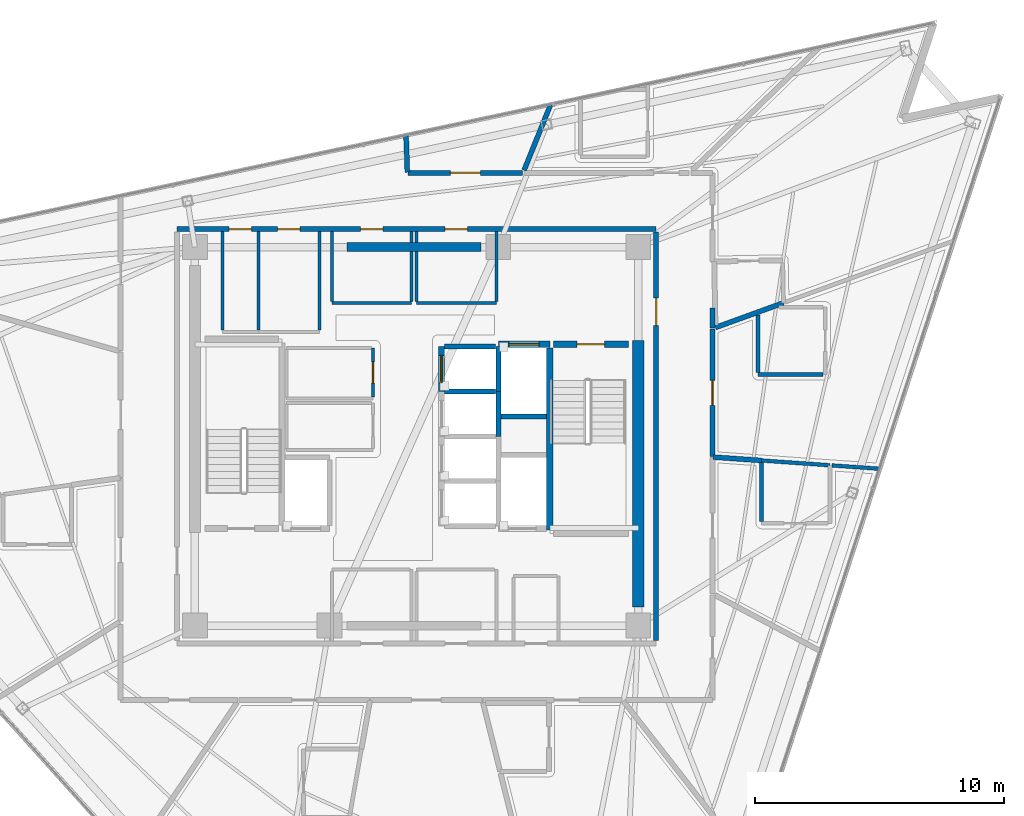
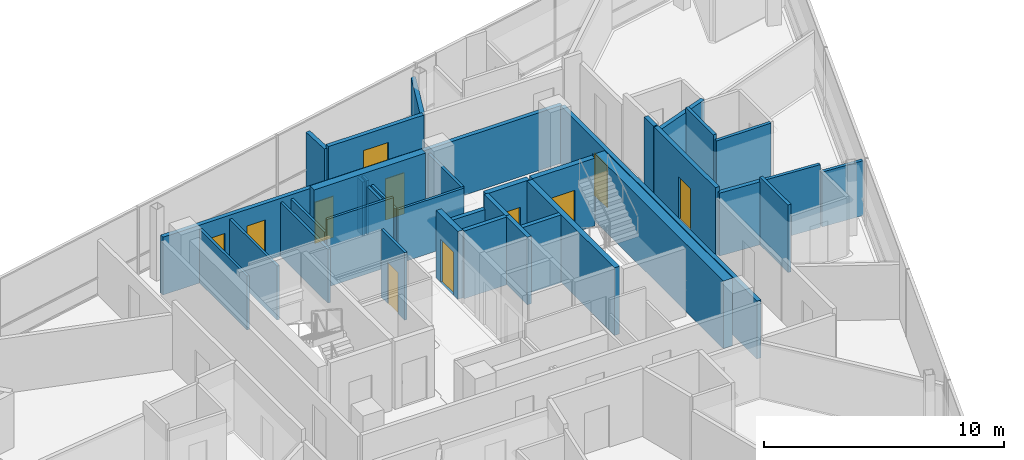
# One storey, part 12 of 17: 37 walls, 11 doors, 11 openings.
"""IFC4 building model written with IfcOpenShell, lengths in metres."""

from ifc_helpers import new_model, si_unit, direction, frame, frame_2d, origin, place, context, subcontext, project, spatial, rectangle, extrude, material, layer, layer_set, type_object, element, fill, save


model = new_model("IFC4")

# Units and contexts
model_context = context("Model", 3, precision=1e-05, world=origin(), true_north=direction((0.0, 1.0)))
body_context = subcontext(model_context, "Body", "Model", "MODEL_VIEW")
ifc_project = project(units=[si_unit("LENGTHUNIT", "METRE"), si_unit("AREAUNIT", "SQUARE_METRE"), si_unit("VOLUMEUNIT", "CUBIC_METRE"), si_unit("PLANEANGLEUNIT", "RADIAN"), si_unit("MASSUNIT", "GRAM", prefix="KILO")], contexts=[model_context])

# Site, building, storey
site_placement = place(None, origin())
site = spatial("IfcSite", under=ifc_project, at=site_placement, CompositionType="ELEMENT")
building_placement = place(site_placement, origin())
building = spatial("IfcBuilding", under=site, at=building_placement, Name="Tharavind Bronze Gate", CompositionType="ELEMENT")
storey_placement = place(building_placement, frame((0.0, 0.0, 294.35009765625)))
storey = spatial("IfcBuildingStorey", under=building, at=storey_placement, Name="L76", CompositionType="ELEMENT", Elevation=294.35009765625)

# Wall, openings, doors
ifc_material_1 = material(Name="Aerated Concrete Block", Category="concrete")
ifc_layer_1 = layer(ifc_material_1, 0.199951171875)
ifc_layer_set_1 = layer_set([ifc_layer_1], Name="Aerated Concrete Block")
wall_type_1 = type_object("IfcWallType", Name="FIRE RATED PARTITION 200", PredefinedType="PARTITIONING", material=ifc_layer_set_1)
wall_1_placement = place(storey_placement, frame((9.6201171875, 8.320068359375, 0.0), z_axis=(0.0, 0.0, 1.0), x_axis=(-1.0, 0.0, 0.0)))
wall_1 = element("IfcWall", 1, at=wall_1_placement, inside=storey, type_object=wall_type_1, Name="L76 north core corridor wall", PredefinedType="PARTITIONING", context=body_context, shape_type="SweptSolid", body=[
    extrude(rectangle(XDim=19.240234375, YDim=0.199951171875, at=frame_2d((9.6201171875, 0.0))), origin(), (0.0, 0.0, 1.0), 2.94482421875),
])
opening_1_placement = place(wall_1_placement, frame((10.969970703125, 0.0, 0.0)))
opening_1 = element("IfcOpeningElement", 2, at=opening_1_placement, cuts=wall_1, Name="Opening ID07", PredefinedType="OPENING", context=body_context, shape_type="SweptSolid", body=[
    extrude(rectangle(XDim=0.89990234375, YDim=2.10009765625, at=frame_2d((0.449951171875, 1.050048828125))), frame((0.0, 0.11009765625, 0.0), z_axis=(0.0, -1.0, 0.0), x_axis=(1.0, 0.0, 0.0)), (0.0, 0.0, 1.0), 0.219951171875),
])
opening_2_placement = place(wall_1_placement, frame((7.570068359375, 0.0, 0.0)))
opening_2 = element("IfcOpeningElement", 3, at=opening_2_placement, cuts=wall_1, Name="Opening ID07", PredefinedType="OPENING", context=body_context, shape_type="SweptSolid", body=[
    extrude(rectangle(XDim=0.89990234375, YDim=2.10009765625, at=frame_2d((0.449951171875, 1.050048828125))), frame((0.0, 0.11009765625, 0.0), z_axis=(0.0, -1.0, 0.0), x_axis=(1.0, 0.0, 0.0)), (0.0, 0.0, 1.0), 0.219951171875),
])
opening_3_placement = place(wall_1_placement, frame((16.2451171875, 0.0, 0.0)))
opening_3 = element("IfcOpeningElement", 4, at=opening_3_placement, cuts=wall_1, Name="Opening ID07", PredefinedType="OPENING", context=body_context, shape_type="SweptSolid", body=[
    extrude(rectangle(XDim=0.89990234375, YDim=2.10009765625, at=frame_2d((0.449951171875, 1.050048828125))), frame((0.0, 0.11009765625, 0.0), z_axis=(0.0, -1.0, 0.0), x_axis=(1.0, 0.0, 0.0)), (0.0, 0.0, 1.0), 0.219951171875),
])
opening_4_placement = place(wall_1_placement, frame((14.294921875, 0.0, 0.0)))
opening_4 = element("IfcOpeningElement", 5, at=opening_4_placement, cuts=wall_1, Name="Opening ID07", PredefinedType="OPENING", context=body_context, shape_type="SweptSolid", body=[
    extrude(rectangle(XDim=0.89990234375, YDim=2.10009765625, at=frame_2d((0.449951171875, 1.050048828125))), frame((0.0, 0.11009765625, 0.0), z_axis=(0.0, -1.0, 0.0), x_axis=(1.0, 0.0, 0.0)), (0.0, 0.0, 1.0), 0.219951171875),
])
ifc_material_2 = material(Name="Galvanised Fire Steel", Category="steel")
door_type_1 = type_object("IfcDoorType", Name="PLANT AND RISER FIRE DOOR 900X2100", OperationType="SINGLE_SWING_LEFT", PredefinedType="DOOR", material=ifc_material_2)
door_1_placement = place(opening_1_placement, frame((0.89990234375, 0.0, 0.0), z_axis=(0.0, 0.0, 1.0), x_axis=(-1.0, 0.0, 0.0)))
door_1 = element("IfcDoor", 6, at=door_1_placement, inside=storey, type_object=door_type_1, Name="L76 Core Telemetry Room fire door", OperationType="SINGLE_SWING_LEFT", OverallHeight=2.10009765625, OverallWidth=0.89990234375, PredefinedType="DOOR", context=body_context, shape_type="SweptSolid", body=[
    extrude(rectangle(XDim=0.89990234375, YDim=2.10009765625, at=frame_2d((0.449951171875, 1.050048828125))), frame((0.0, 0.02490234375, 0.0), z_axis=(0.0, -1.0, 0.0), x_axis=(1.0, 0.0, 0.0)), (0.0, 0.0, 1.0), 0.050048828125),
])
fill(opening_1, door_1)
door_2_placement = place(opening_2_placement, frame((0.89990234375, 0.0, 0.0), z_axis=(0.0, 0.0, 1.0), x_axis=(-1.0, 0.0, 0.0)))
door_2 = element("IfcDoor", 7, at=door_2_placement, inside=storey, type_object=door_type_1, Name="L76 Core Battery Room fire door", OperationType="SINGLE_SWING_LEFT", OverallHeight=2.10009765625, OverallWidth=0.89990234375, PredefinedType="DOOR", context=body_context, shape_type="SweptSolid", body=[
    extrude(rectangle(XDim=0.89990234375, YDim=2.10009765625, at=frame_2d((0.449951171875, 1.050048828125))), frame((0.0, 0.02490234375, 0.0), z_axis=(0.0, -1.0, 0.0), x_axis=(1.0, 0.0, 0.0)), (0.0, 0.0, 1.0), 0.050048828125),
])
fill(opening_2, door_2)
door_3_placement = place(opening_3_placement, frame((0.89990234375, 0.0, 0.0), z_axis=(0.0, 0.0, 1.0), x_axis=(-1.0, 0.0, 0.0)))
door_3 = element("IfcDoor", 8, at=door_3_placement, inside=storey, type_object=door_type_1, Name="L76 Battery Backup Cupboard fire door", OperationType="SINGLE_SWING_LEFT", OverallHeight=2.10009765625, OverallWidth=0.89990234375, PredefinedType="DOOR", context=body_context, shape_type="SweptSolid", body=[
    extrude(rectangle(XDim=0.89990234375, YDim=2.10009765625, at=frame_2d((0.449951171875, 1.050048828125))), frame((0.0, 0.02490234375, 0.0), z_axis=(0.0, -1.0, 0.0), x_axis=(1.0, 0.0, 0.0)), (0.0, 0.0, 1.0), 0.050048828125),
])
fill(opening_3, door_3)
door_4_placement = place(opening_4_placement, frame((0.89990234375, 0.0, 0.0), z_axis=(0.0, 0.0, 1.0), x_axis=(-1.0, 0.0, 0.0)))
door_4 = element("IfcDoor", 9, at=door_4_placement, inside=storey, type_object=door_type_1, Name="L76 Cleaner Store Room fire door", OperationType="SINGLE_SWING_LEFT", OverallHeight=2.10009765625, OverallWidth=0.89990234375, PredefinedType="DOOR", context=body_context, shape_type="SweptSolid", body=[
    extrude(rectangle(XDim=0.89990234375, YDim=2.10009765625, at=frame_2d((0.449951171875, 1.050048828125))), frame((0.0, 0.02490234375, 0.0), z_axis=(0.0, -1.0, 0.0), x_axis=(1.0, 0.0, 0.0)), (0.0, 0.0, 1.0), 0.050048828125),
])
fill(opening_4, door_4)

# Wall, opening, door
wall_2_placement = place(storey_placement, frame((9.6201171875, -8.199951171875, 0.0), z_axis=(0.0, 0.0, 1.0), x_axis=(0.0, 1.0, 0.0)))
wall_2 = element("IfcWall", 10, at=wall_2_placement, inside=storey, type_object=wall_type_1, Name="L76 east core corridor wall", PredefinedType="PARTITIONING", context=body_context, shape_type="SweptSolid", body=[
    extrude(rectangle(XDim=16.39990234375, YDim=0.199951171875, at=frame_2d((8.199951171875, 0.0))), origin(), (0.0, 0.0, 1.0), 2.94482421875),
])
opening_5_placement = place(wall_2_placement, frame((12.64990234375, 0.0, 0.0)))
opening_5 = element("IfcOpeningElement", 11, at=opening_5_placement, cuts=wall_2, Name="Opening ID01", PredefinedType="OPENING", context=body_context, shape_type="SweptSolid", body=[
    extrude(rectangle(XDim=1.10009765625, YDim=2.14990234375, at=frame_2d((0.550048828125, 1.074951171875))), frame((0.0, 0.11009765625, 0.0), z_axis=(0.0, -1.0, 0.0), x_axis=(1.0, 0.0, 0.0)), (0.0, 0.0, 1.0), 0.219951171875),
])
ifc_material_3 = material(Name="Fire-Rated Steel", Category="steel")
door_type_2 = type_object("IfcDoorType", Name="STAIR CORE FIRE DOOR 1100X2150", OperationType="SINGLE_SWING_LEFT", PredefinedType="DOOR", material=ifc_material_3)
door_5_placement = place(opening_5_placement, frame((1.10009765625, 0.0, 0.0), z_axis=(0.0, 0.0, 1.0), x_axis=(-1.0, 0.0, 0.0)))
door_5 = element("IfcDoor", 12, at=door_5_placement, inside=storey, type_object=door_type_2, Name="L76 north east stair lobby fire door", OperationType="SINGLE_SWING_LEFT", OverallHeight=2.14990234375, OverallWidth=1.10009765625, PredefinedType="DOOR", context=body_context, shape_type="SweptSolid", body=[
    extrude(rectangle(XDim=1.10009765625, YDim=2.14990234375, at=frame_2d((0.550048828125, 1.074951171875))), frame((0.0, 0.02490234375, 0.0), z_axis=(0.0, -1.0, 0.0), x_axis=(1.0, 0.0, 0.0)), (0.0, 0.0, 1.0), 0.050048828125),
])
fill(opening_5, door_5)

# Walls
wall_3_placement = place(storey_placement, frame((14.731201171875, 5.36181640625, 0.0), z_axis=(0.0, 0.0, 1.0), x_axis=(-0.939685466816, -0.342039798058, 0.0)))
element("IfcWall", 13, at=wall_3_placement, inside=storey, type_object=wall_type_1, Name="L76 En-Suite Bathroom partition", PredefinedType="PARTITIONING", context=body_context, shape_type="SweptSolid", body=[
    extrude(rectangle(XDim=2.906494140625, YDim=0.199951171875, at=frame_2d((1.453125, 0.0))), origin(), (0.0, 0.0, 1.0), 3.204833984375),
])
wall_4_placement = place(storey_placement, frame((11.8798828125, 4.359619140625, 0.0), z_axis=(0.0, 0.0, 1.0), x_axis=(0.0, 1.0, 0.0)))
element("IfcWall", 14, at=wall_4_placement, inside=storey, type_object=wall_type_1, Name="L76 Royal Hotel Suite partition", PredefinedType="PARTITIONING", context=body_context, shape_type="SweptSolid", body=[
    extrude(rectangle(XDim=0.784912109375, YDim=0.199951171875, at=frame_2d((0.392578125, 0.0))), origin(), (0.0, 0.0, 1.0), 3.449951171875),
])
wall_5_placement = place(storey_placement, frame((4.31689453125, 10.68505859375, 0.0), z_axis=(0.0, 0.0, 1.0), x_axis=(0.374699009618, 0.92714651064, 0.0)))
element("IfcWall", 15, at=wall_5_placement, inside=storey, type_object=wall_type_1, Name="L76 Hotel Deluxe Room partition", PredefinedType="PARTITIONING", context=body_context, shape_type="SweptSolid", body=[
    extrude(rectangle(XDim=2.822509765625, YDim=0.199951171875, at=frame_2d((1.4111328125, 0.0))), origin(), (0.0, 0.0, 1.0), 2.794921875),
])

# Wall, opening, door
wall_6_placement = place(storey_placement, frame((4.2578125, 10.580078125, 0.0), z_axis=(0.0, 0.0, 1.0), x_axis=(-1.0, 0.0, 0.0)))
wall_6 = element("IfcWall", 16, at=wall_6_placement, inside=storey, type_object=wall_type_1, Name="L76 Hotel Guest Lounge partition", PredefinedType="PARTITIONING", context=body_context, shape_type="SweptSolid", body=[
    extrude(rectangle(XDim=4.60302734375, YDim=0.199951171875, at=frame_2d((2.301513671875, 0.0))), origin(), (0.0, 0.0, 1.0), 2.94482421875),
])
opening_6_placement = place(wall_6_placement, frame((1.700927734375, 0.0, 0.0)))
opening_6 = element("IfcOpeningElement", 17, at=opening_6_placement, cuts=wall_6, Name="Opening ID05", PredefinedType="OPENING", context=body_context, shape_type="SweptSolid", body=[
    extrude(rectangle(XDim=1.199951171875, YDim=2.14990234375, at=frame_2d((0.60009765625, 1.074951171875))), frame((0.0, 0.11009765625, 0.0), z_axis=(0.0, -1.0, 0.0), x_axis=(1.0, 0.0, 0.0)), (0.0, 0.0, 1.0), 0.219951171875),
])
ifc_material_4 = material(Name="Acoustic Laminated Glass", Category="glass")
door_type_3 = type_object("IfcDoorType", Name="MEETING ROOM GLAZED DOOR 1200X2150", OperationType="SINGLE_SWING_LEFT", PredefinedType="DOOR", material=ifc_material_4)
door_6_placement = place(opening_6_placement, origin())
door_6 = element("IfcDoor", 18, at=door_6_placement, inside=storey, type_object=door_type_3, Name="L76 Hotel Guest Lounge door", OperationType="SINGLE_SWING_LEFT", OverallHeight=2.14990234375, OverallWidth=1.199951171875, PredefinedType="DOOR", context=body_context, shape_type="SweptSolid", body=[
    extrude(rectangle(XDim=1.199951171875, YDim=2.14990234375, at=frame_2d((0.60009765625, 1.074951171875))), frame((0.0, 0.02490234375, 0.0), z_axis=(0.0, -1.0, 0.0), x_axis=(1.0, 0.0, 0.0)), (0.0, 0.0, 1.0), 0.050048828125),
])
fill(opening_6, door_6)

# Walls
wall_7_placement = place(storey_placement, frame((-0.370361328125, 10.60400390625, 0.0), z_axis=(0.0, 0.0, 1.0), x_axis=(-0.034848895105, 0.999392592783, 0.0)))
element("IfcWall", 19, at=wall_7_placement, inside=storey, type_object=wall_type_1, Name="L76 Hotel Guest Lounge partition", PredefinedType="PARTITIONING", context=body_context, shape_type="SweptSolid", body=[
    extrude(rectangle(XDim=1.457275390625, YDim=0.199951171875, at=frame_2d((0.728515625, 0.0))), origin(), (0.0, 0.0, 1.0), 2.794921875),
])
wall_8_placement = place(storey_placement, frame((11.90673828125, -0.83251953125, 0.0), z_axis=(0.0, 0.0, 1.0), x_axis=(0.997560712778, -0.069804185555, 0.0)))
element("IfcWall", 20, at=wall_8_placement, inside=storey, type_object=wall_type_1, Name="L76 Corner Hotel Suite partition", PredefinedType="PARTITIONING", context=body_context, shape_type="SweptSolid", body=[
    extrude(rectangle(XDim=1.947998046875, YDim=0.199951171875, at=frame_2d((0.97412109375, 0.0))), origin(), (0.0, 0.0, 1.0), 3.204833984375),
])

# Wall, opening, door
wall_9_placement = place(storey_placement, frame((11.8798828125, -0.807373046875, 0.0), z_axis=(0.0, 0.0, 1.0), x_axis=(0.0, 1.0, 0.0)))
wall_9 = element("IfcWall", 21, at=wall_9_placement, inside=storey, type_object=wall_type_1, Name="L76 Hotel Guest Room partition", PredefinedType="PARTITIONING", context=body_context, shape_type="SweptSolid", body=[
    extrude(rectangle(XDim=5.11376953125, YDim=0.199951171875, at=frame_2d((2.556884765625, 0.0))), origin(), (0.0, 0.0, 1.0), 3.449951171875),
])
opening_7_placement = place(wall_9_placement, frame((2.056884765625, 0.0, 0.0)))
opening_7 = element("IfcOpeningElement", 22, at=opening_7_placement, cuts=wall_9, Name="Opening ID03", PredefinedType="OPENING", context=body_context, shape_type="SweptSolid", body=[
    extrude(rectangle(XDim=1.0, YDim=2.14990234375, at=frame_2d((0.5, 1.074951171875))), frame((0.0, 0.11009765625, 0.0), z_axis=(0.0, -1.0, 0.0), x_axis=(1.0, 0.0, 0.0)), (0.0, 0.0, 1.0), 0.219951171875),
])
ifc_material_5 = material(Name="Solid Timber Veneer", Category="wood")
door_type_4 = type_object("IfcDoorType", Name="HOTEL SUITE ENTRANCE DOOR 1000X2150", OperationType="SINGLE_SWING_LEFT", PredefinedType="DOOR", material=ifc_material_5)
door_7_placement = place(opening_7_placement, origin())
door_7 = element("IfcDoor", 23, at=door_7_placement, inside=storey, type_object=door_type_4, Name="L76 Hotel Guest Room door", OperationType="SINGLE_SWING_LEFT", OverallHeight=2.14990234375, OverallWidth=1.0, PredefinedType="DOOR", context=body_context, shape_type="SweptSolid", body=[
    extrude(rectangle(XDim=1.0, YDim=2.14990234375, at=frame_2d((0.5, 1.074951171875))), frame((0.0, 0.02490234375, 0.0), z_axis=(0.0, -1.0, 0.0), x_axis=(1.0, 0.0, 0.0)), (0.0, 0.0, 1.0), 0.050048828125),
])
fill(opening_7, door_7)

ifc_material_6 = material(Name="Metal Stud Gypsum Partition", Category="gypsum")
ifc_layer_2 = layer(ifc_material_6, 0.1201171875)
ifc_layer_set_2 = layer_set([ifc_layer_2], Name="Metal Stud Gypsum Partition")
wall_type_2 = type_object("IfcWallType", Name="INTERIOR PARTITION WALL 120", PredefinedType="PARTITIONING", material=ifc_layer_set_2)
wall_10_placement = place(storey_placement, frame((-1.75, 1.5849609375, 0.0), z_axis=(0.0, 0.0, 1.0), x_axis=(0.0, 1.0, 0.0)))
wall_10 = element("IfcWall", 24, at=wall_10_placement, inside=storey, type_object=wall_type_2, Name="L76 Cleaner Store Room partition 2", PredefinedType="PARTITIONING", context=body_context, shape_type="SweptSolid", body=[
    extrude(rectangle(XDim=1.965087890625, YDim=0.1201171875, at=frame_2d((0.982421875, 0.0))), origin(), (0.0, 0.0, 1.0), 3.449951171875),
])
opening_8_placement = place(wall_10_placement, frame((0.556884765625, 0.0, 0.0)))
opening_8 = element("IfcOpeningElement", 25, at=opening_8_placement, cuts=wall_10, Name="Opening ID06", PredefinedType="OPENING", context=body_context, shape_type="SweptSolid", body=[
    extrude(rectangle(XDim=0.85009765625, YDim=2.10009765625, at=frame_2d((0.425048828125, 1.050048828125))), frame((0.0, 0.07005859375, 0.0), z_axis=(0.0, -1.0, 0.0), x_axis=(1.0, 0.0, 0.0)), (0.0, 0.0, 1.0), 0.1401171875),
])
ifc_material_7 = material(Name="Moisture-Resistant Timber", Category="wood")
door_type_5 = type_object("IfcDoorType", Name="BATHROOM PRIVACY DOOR 850X2100", OperationType="SINGLE_SWING_RIGHT", PredefinedType="DOOR", material=ifc_material_7)
door_8_placement = place(opening_8_placement, frame((0.85009765625, 0.0, 0.0), z_axis=(0.0, 0.0, 1.0), x_axis=(-1.0, 0.0, 0.0)))
door_8 = element("IfcDoor", 26, at=door_8_placement, inside=storey, type_object=door_type_5, Name="L76 Cleaner Store Room door", OperationType="SINGLE_SWING_RIGHT", OverallHeight=2.10009765625, OverallWidth=0.85009765625, PredefinedType="DOOR", context=body_context, shape_type="SweptSolid", body=[
    extrude(rectangle(XDim=0.85009765625, YDim=2.10009765625, at=frame_2d((0.425048828125, 1.050048828125))), frame((0.0, 0.02490234375, 0.0), z_axis=(0.0, -1.0, 0.0), x_axis=(1.0, 0.0, 0.0)), (0.0, 0.0, 1.0), 0.050048828125),
])
fill(opening_8, door_8)

# Walls
wall_11_placement = place(storey_placement, frame((-3.39990234375, 5.35009765625, 0.0), z_axis=(0.0, 0.0, 1.0), x_axis=(1.0, 0.0, 0.0)))
element("IfcWall", 27, at=wall_11_placement, inside=storey, type_object=wall_type_2, Name="L76 Core Telemetry Room partition 1", PredefinedType="PARTITIONING", context=body_context, shape_type="SweptSolid", body=[
    extrude(rectangle(XDim=3.199951171875, YDim=0.1201171875, at=frame_2d((1.60009765625, 0.0))), origin(), (0.0, 0.0, 1.0), 3.449951171875),
])
wall_12_placement = place(storey_placement, frame((-0.199951171875, 5.4150390625, 0.0), z_axis=(0.0, 0.0, 1.0), x_axis=(0.0, 1.0, 0.0)))
element("IfcWall", 28, at=wall_12_placement, inside=storey, type_object=wall_type_2, Name="L76 Core Telemetry Room partition 2", PredefinedType="PARTITIONING", context=body_context, shape_type="SweptSolid", body=[
    extrude(rectangle(XDim=2.0048828125, YDim=0.1201171875, at=frame_2d((1.00244140625, 0.0))), origin(), (0.0, 0.0, 1.0), 2.744873046875),
])
wall_13_placement = place(storey_placement, frame((-0.199951171875, 7.780029296875, 0.0), z_axis=(0.0, 0.0, 1.0), x_axis=(0.0, 1.0, 0.0)))
element("IfcWall", 29, at=wall_13_placement, inside=storey, type_object=wall_type_2, Name="L76 Core Telemetry Room partition 2", PredefinedType="PARTITIONING", context=body_context, shape_type="SweptSolid", body=[
    extrude(rectangle(XDim=0.43505859375, YDim=0.1201171875, at=frame_2d((0.217529296875, 0.0))), origin(), (0.0, 0.0, 1.0), 2.744873046875),
])
wall_14_placement = place(storey_placement, frame((-3.39990234375, 8.215087890625, 0.0), z_axis=(0.0, 0.0, 1.0), x_axis=(0.0, -1.0, 0.0)))
element("IfcWall", 30, at=wall_14_placement, inside=storey, type_object=wall_type_2, Name="L76 Core Telemetry Room partition 4", PredefinedType="PARTITIONING", context=body_context, shape_type="SweptSolid", body=[
    extrude(rectangle(XDim=2.800048828125, YDim=0.1201171875, at=frame_2d((1.39990234375, 0.0))), origin(), (0.0, 0.0, 1.0), 2.744873046875),
])
wall_15_placement = place(storey_placement, frame((0.0, 5.35009765625, 0.0), z_axis=(0.0, 0.0, 1.0), x_axis=(1.0, 0.0, 0.0)))
element("IfcWall", 31, at=wall_15_placement, inside=storey, type_object=wall_type_2, Name="L76 Core Battery Room partition 1", PredefinedType="PARTITIONING", context=body_context, shape_type="SweptSolid", body=[
    extrude(rectangle(XDim=3.199951171875, YDim=0.1201171875, at=frame_2d((1.60009765625, 0.0))), origin(), (0.0, 0.0, 1.0), 2.744873046875),
])
wall_16_placement = place(storey_placement, frame((3.199951171875, 5.4150390625, 0.0), z_axis=(0.0, 0.0, 1.0), x_axis=(0.0, 1.0, 0.0)))
element("IfcWall", 32, at=wall_16_placement, inside=storey, type_object=wall_type_2, Name="L76 Core Battery Room partition 2", PredefinedType="PARTITIONING", context=body_context, shape_type="SweptSolid", body=[
    extrude(rectangle(XDim=2.800048828125, YDim=0.1201171875, at=frame_2d((1.39990234375, 0.0))), origin(), (0.0, 0.0, 1.0), 2.744873046875),
])
wall_17_placement = place(storey_placement, frame((0.0, 8.215087890625, 0.0), z_axis=(0.0, 0.0, 1.0), x_axis=(0.0, -1.0, 0.0)))
element("IfcWall", 33, at=wall_17_placement, inside=storey, type_object=wall_type_2, Name="L76 Core Battery Room partition 4", PredefinedType="PARTITIONING", context=body_context, shape_type="SweptSolid", body=[
    extrude(rectangle(XDim=0.43505859375, YDim=0.1201171875, at=frame_2d((0.217529296875, 0.0))), origin(), (0.0, 0.0, 1.0), 2.744873046875),
])
wall_18_placement = place(storey_placement, frame((0.0, 7.419921875, 0.0), z_axis=(0.0, 0.0, 1.0), x_axis=(0.0, -1.0, 0.0)))
element("IfcWall", 34, at=wall_18_placement, inside=storey, type_object=wall_type_2, Name="L76 Core Battery Room partition 4", PredefinedType="PARTITIONING", context=body_context, shape_type="SweptSolid", body=[
    extrude(rectangle(XDim=2.0048828125, YDim=0.1201171875, at=frame_2d((1.00244140625, 0.0))), origin(), (0.0, 0.0, 1.0), 2.744873046875),
])
for number, where, z_axis, x_axis, name in (
    (35, (-6.35009765625, 4.264892578125, 0.0), (0.0, 0.0, 1.0), (0.0, 1.0, 0.0), "L76 Battery Backup Cupboard partition 2"),
    (36, (-7.800048828125, 8.215087890625, 0.0), (0.0, 0.0, 1.0), (0.0, -1.0, 0.0), "L76 Battery Backup Cupboard partition 4"),
    (37, (-3.89990234375, 4.264892578125, 0.0), (0.0, 0.0, 1.0), (0.0, 1.0, 0.0), "L76 Cleaner Store Room partition 2"),
):
    element("IfcWall", number, at=place(storey_placement, frame(where, z_axis=z_axis, x_axis=x_axis)), inside=storey, type_object=wall_type_2, Name=name, PredefinedType="PARTITIONING", context=body_context, shape_type="SweptSolid", body=[
        extrude(rectangle(XDim=3.9501953125, YDim=0.1201171875, at=frame_2d((1.97509765625, 0.0))), origin(), (0.0, 0.0, 1.0), 2.744873046875),
    ])
ifc_material_8 = material(Name="Twin Stud Acoustic Gypsum", Category="gypsum")
ifc_layer_3 = layer(ifc_material_8, 0.14990234375)
ifc_layer_set_3 = layer_set([ifc_layer_3], Name="Twin Stud Acoustic Gypsum")
wall_type_3 = type_object("IfcWallType", Name="INTERIOR PARTITION WALL 150", PredefinedType="PARTITIONING", material=ifc_layer_set_3)
wall_19_placement = place(storey_placement, frame((13.85009765625, -0.968505859375, 0.0), z_axis=(0.0, 0.0, 1.0), x_axis=(0.997561927417, -0.069786825178, 0.0)))
element("IfcWall", 38, at=wall_19_placement, inside=storey, type_object=wall_type_3, Name="L76 En-Suite Bathroom partition", PredefinedType="PARTITIONING", context=body_context, shape_type="SweptSolid", body=[
    extrude(rectangle(XDim=2.7568359375, YDim=0.14990234375, at=frame_2d((1.37841796875, 0.0))), origin(), (0.0, 0.0, 1.0), 3.204833984375),
])
wall_20_placement = place(storey_placement, frame((13.85009765625, -3.4091796875, 0.0), z_axis=(0.0, 0.0, 1.0), x_axis=(0.0, 1.0, 0.0)))
element("IfcWall", 39, at=wall_20_placement, inside=storey, type_object=wall_type_3, Name="L76 En-Suite Bathroom partition", PredefinedType="PARTITIONING", context=body_context, shape_type="SweptSolid", body=[
    extrude(rectangle(XDim=2.360595703125, YDim=0.14990234375, at=frame_2d((1.18017578125, 0.0))), origin(), (0.0, 0.0, 1.0), 3.449951171875),
])
wall_21_placement = place(storey_placement, frame((16.324951171875, 2.48681640625, 0.0), z_axis=(0.0, 0.0, 1.0), x_axis=(-1.0, 0.0, 0.0)))
element("IfcWall", 40, at=wall_21_placement, inside=storey, type_object=wall_type_3, Name="L76 En-Suite Bathroom partition", PredefinedType="PARTITIONING", context=body_context, shape_type="SweptSolid", body=[
    extrude(rectangle(XDim=2.6201171875, YDim=0.14990234375, at=frame_2d((1.31005859375, 0.0))), origin(), (0.0, 0.0, 1.0), 3.204833984375),
])
wall_22_placement = place(storey_placement, frame((13.704833984375, 2.56689453125, 0.0), z_axis=(0.0, 0.0, 1.0), x_axis=(0.0, 1.0, 0.0)))
element("IfcWall", 41, at=wall_22_placement, inside=storey, type_object=wall_type_3, Name="L76 En-Suite Bathroom partition", PredefinedType="PARTITIONING", context=body_context, shape_type="SweptSolid", body=[
    extrude(rectangle(XDim=2.3095703125, YDim=0.14990234375, at=frame_2d((1.15478515625, 0.0))), origin(), (0.0, 0.0, 1.0), 3.449951171875),
])
wall_23_placement = place(storey_placement, frame((16.679931640625, -1.16650390625, 0.0), z_axis=(0.0, 0.0, 1.0), x_axis=(0.997568719621, -0.06968966662, 0.0)))
element("IfcWall", 42, at=wall_23_placement, inside=storey, type_object=wall_type_3, Name="L76 Corner Hotel Suite partition", PredefinedType="PARTITIONING", context=body_context, shape_type="SweptSolid", body=[
    extrude(rectangle(XDim=1.916259765625, YDim=0.14990234375, at=frame_2d((0.9580078125, 0.0))), origin(), (0.0, 0.0, 1.0), 2.794921875),
])
ifc_material_9 = material(Name="Concrete C50/60", Category="concrete")
ifc_layer_4 = layer(ifc_material_9, 0.25)
ifc_layer_set_4 = layer_set([ifc_layer_4], Name="Concrete C50/60")
wall_type_4 = type_object("IfcWallType", Name="RC CORE SHEAR WALL 250", PredefinedType="SHEAR", material=ifc_layer_set_4)
wall_24_placement = place(storey_placement, frame((5.35009765625, -3.75, 0.0), z_axis=(0.0, 0.0, 1.0), x_axis=(0.0, 1.0, 0.0)))
element("IfcWall", 43, at=wall_24_placement, inside=storey, type_object=wall_type_4, Name="L76 ST2 shaft west wall", PredefinedType="SHEAR", context=body_context, shape_type="SweptSolid", body=[
    extrude(rectangle(XDim=7.300048828125, YDim=0.25, at=frame_2d((3.64990234375, 0.0))), origin(), (0.0, 0.0, 1.0), 3.449951171875),
])

# Wall, opening, door
wall_25_placement = place(storey_placement, frame((5.5, 3.699951171875, 0.0), z_axis=(0.0, 0.0, 1.0), x_axis=(1.0, 0.0, 0.0)))
wall_25 = element("IfcWall", 44, at=wall_25_placement, inside=storey, type_object=wall_type_4, Name="L76 ST2 shaft north wall", PredefinedType="SHEAR", context=body_context, shape_type="SweptSolid", body=[
    extrude(rectangle(XDim=3.0, YDim=0.25, at=frame_2d((1.5, 0.0))), origin(), (0.0, 0.0, 1.0), 3.449951171875),
])
opening_9_placement = place(wall_25_placement, frame((0.949951171875, 0.0, 0.0)))
opening_9 = element("IfcOpeningElement", 45, at=opening_9_placement, cuts=wall_25, Name="Opening ID01", PredefinedType="OPENING", context=body_context, shape_type="SweptSolid", body=[
    extrude(rectangle(XDim=1.10009765625, YDim=2.14990234375, at=frame_2d((0.550048828125, 1.074951171875))), frame((0.0, 0.135, 0.0), z_axis=(0.0, -1.0, 0.0), x_axis=(1.0, 0.0, 0.0)), (0.0, 0.0, 1.0), 0.27),
])
door_9_placement = place(opening_9_placement, frame((1.10009765625, 0.0, 0.0), z_axis=(0.0, 0.0, 1.0), x_axis=(-1.0, 0.0, 0.0)))
door_9 = element("IfcDoor", 46, at=door_9_placement, inside=storey, type_object=door_type_2, Name="L76 exit stair ST2 fire door", OperationType="SINGLE_SWING_LEFT", OverallHeight=2.14990234375, OverallWidth=1.10009765625, PredefinedType="DOOR", context=body_context, shape_type="SweptSolid", body=[
    extrude(rectangle(XDim=1.10009765625, YDim=2.14990234375, at=frame_2d((0.550048828125, 1.074951171875))), frame((0.0, 0.02490234375, 0.0), z_axis=(0.0, -1.0, 0.0), x_axis=(1.0, 0.0, 0.0)), (0.0, 0.0, 1.0), 0.050048828125),
])
fill(opening_9, door_9)

wall_26_placement = place(storey_placement, frame((1.0, 1.800048828125, 0.0), z_axis=(0.0, 0.0, 1.0), x_axis=(0.0, 1.0, 0.0)))
wall_26 = element("IfcWall", 47, at=wall_26_placement, inside=storey, type_object=wall_type_4, Name="L76 lift PL12 shaft front wall", PredefinedType="SHEAR", context=body_context, shape_type="SweptSolid", body=[
    extrude(rectangle(XDim=1.800048828125, YDim=0.25, at=frame_2d((0.89990234375, 0.0))), origin(), (0.0, 0.0, 1.0), 3.449951171875),
])
opening_10_placement = place(wall_26_placement, frame((0.35009765625, 0.0, 0.0)))
opening_10 = element("IfcOpeningElement", 48, at=opening_10_placement, cuts=wall_26, Name="Opening LD01", PredefinedType="OPENING", context=body_context, shape_type="SweptSolid", body=[
    extrude(rectangle(XDim=1.10009765625, YDim=2.199951171875, at=frame_2d((0.550048828125, 1.10009765625))), frame((0.0, 0.135, 0.0), z_axis=(0.0, -1.0, 0.0), x_axis=(1.0, 0.0, 0.0)), (0.0, 0.0, 1.0), 0.27),
])
ifc_material_10 = material(Name="Brushed Bronze Stainless Steel", Category="steel")
door_type_6 = type_object("IfcDoorType", Name="LIFT LANDING SLIDING DOOR 1100X2200", OperationType="SLIDING_TO_LEFT", PredefinedType="DOOR", material=ifc_material_10)
door_10_placement = place(opening_10_placement, origin())
door_10 = element("IfcDoor", 49, at=door_10_placement, inside=storey, type_object=door_type_6, Name="L76 lift PL12 sliding landing door", OperationType="SLIDING_TO_LEFT", OverallHeight=2.199951171875, OverallWidth=1.10009765625, PredefinedType="DOOR", context=body_context, shape_type="SweptSolid", body=[
    extrude(rectangle(XDim=1.10009765625, YDim=2.199951171875, at=frame_2d((0.550048828125, 1.10009765625))), frame((0.0, 0.02490234375, 0.0), z_axis=(0.0, -1.0, 0.0), x_axis=(1.0, 0.0, 0.0)), (0.0, 0.0, 1.0), 0.050048828125),
])
fill(opening_10, door_10)

wall_27_placement = place(storey_placement, frame((3.280029296875, 3.699951171875, 0.0), z_axis=(0.0, 0.0, 1.0), x_axis=(1.0, 0.0, 0.0)))
wall_27 = element("IfcWall", 50, at=wall_27_placement, inside=storey, type_object=wall_type_4, Name="L76 lift FFL2 shaft front wall", PredefinedType="SHEAR", context=body_context, shape_type="SweptSolid", body=[
    extrude(rectangle(XDim=2.070068359375, YDim=0.25, at=frame_2d((1.03515625, 0.0))), origin(), (0.0, 0.0, 1.0), 3.449951171875),
])
opening_11_placement = place(wall_27_placement, frame((0.43505859375, 0.0, 0.0)))
opening_11 = element("IfcOpeningElement", 51, at=opening_11_placement, cuts=wall_27, Name="Opening LD02", PredefinedType="OPENING", context=body_context, shape_type="SweptSolid", body=[
    extrude(rectangle(XDim=1.199951171875, YDim=2.199951171875, at=frame_2d((0.60009765625, 1.10009765625))), frame((0.0, 0.135, 0.0), z_axis=(0.0, -1.0, 0.0), x_axis=(1.0, 0.0, 0.0)), (0.0, 0.0, 1.0), 0.27),
])
ifc_material_11 = material(Name="Brushed Stainless Steel", Category="steel")
door_type_7 = type_object("IfcDoorType", Name="FIREFIGHTING LIFT LANDING DOOR 1200X2200", OperationType="SLIDING_TO_RIGHT", PredefinedType="DOOR", material=ifc_material_11)
door_11_placement = place(opening_11_placement, origin())
door_11 = element("IfcDoor", 52, at=door_11_placement, inside=storey, type_object=door_type_7, Name="L76 lift FFL2 sliding landing door", OperationType="SLIDING_TO_RIGHT", OverallHeight=2.199951171875, OverallWidth=1.199951171875, PredefinedType="DOOR", context=body_context, shape_type="SweptSolid", body=[
    extrude(rectangle(XDim=1.199951171875, YDim=2.199951171875, at=frame_2d((0.60009765625, 1.10009765625))), frame((0.0, 0.02490234375, 0.0), z_axis=(0.0, -1.0, 0.0), x_axis=(1.0, 0.0, 0.0)), (0.0, 0.0, 1.0), 0.050048828125),
])
fill(opening_11, door_11)

# Walls
ifc_layer_5 = layer(ifc_material_9, 0.35009765625)
ifc_layer_set_5 = layer_set([ifc_layer_5], Name="Concrete C50/60")
wall_type_5 = type_object("IfcWallType", Name="RC CORE SHEAR WALL 350", PredefinedType="SHEAR", material=ifc_layer_set_5)
wall_28_placement = place(storey_placement, frame((-2.800048828125, 7.60009765625, 0.0), z_axis=(0.0, 0.0, 1.0), x_axis=(1.0, 0.0, 0.0)))
element("IfcWall", 53, at=wall_28_placement, inside=storey, type_object=wall_type_5, Name="L76 north core shear wall", PredefinedType="SHEAR", context=body_context, shape_type="SweptSolid", body=[
    extrude(rectangle(XDim=5.380126953125, YDim=0.35009765625, at=frame_2d((2.68994140625, 0.0))), origin(), (0.0, 0.0, 1.0), 3.449951171875),
])
ifc_material_12 = material(Name="Concrete C60/75", Category="concrete")
ifc_layer_6 = layer(ifc_material_12, 0.449951171875)
ifc_layer_set_6 = layer_set([ifc_layer_6], Name="Concrete C60/75")
wall_type_6 = type_object("IfcWallType", Name="RC CORE SHEAR WALL 450", PredefinedType="SHEAR", material=ifc_layer_set_6)
wall_29_placement = place(storey_placement, frame((8.89990234375, -6.85009765625, 0.0), z_axis=(0.0, 0.0, 1.0), x_axis=(0.0, 1.0, 0.0)))
element("IfcWall", 54, at=wall_29_placement, inside=storey, type_object=wall_type_6, Name="L76 east core shear wall", PredefinedType="SHEAR", context=body_context, shape_type="SweptSolid", body=[
    extrude(rectangle(XDim=10.7001953125, YDim=0.449951171875, at=frame_2d((5.35009765625, 0.0))), origin(), (0.0, 0.0, 1.0), 3.449951171875),
])
ifc_material_13 = material(Name="Concrete C40/50", Category="concrete")
ifc_layer_7 = layer(ifc_material_13, 0.199951171875)
ifc_layer_set_7 = layer_set([ifc_layer_7], Name="Concrete C40/50")
wall_type_7 = type_object("IfcWallType", Name="SHAFT ENCLOSURE WALL 200", PredefinedType="PARTITIONING", material=ifc_layer_set_7)
wall_30_placement = place(storey_placement, frame((3.280029296875, 0.0, 0.0), z_axis=(0.0, 0.0, 1.0), x_axis=(0.0, 1.0, 0.0)))
element("IfcWall", 55, at=wall_30_placement, inside=storey, type_object=wall_type_7, Name="L76 lift PL11 shaft E enclosure wall", PredefinedType="PARTITIONING", context=body_context, shape_type="SweptSolid", body=[
    extrude(rectangle(XDim=1.800048828125, YDim=0.199951171875, at=frame_2d((0.89990234375, 0.0))), origin(), (0.0, 0.0, 1.0), 3.449951171875),
])
wall_31_placement = place(storey_placement, frame((1.1298828125, 1.800048828125, 0.0), z_axis=(0.0, 0.0, 1.0), x_axis=(1.0, 0.0, 0.0)))
element("IfcWall", 56, at=wall_31_placement, inside=storey, type_object=wall_type_7, Name="L76 lift PL11 shaft N enclosure wall", PredefinedType="PARTITIONING", context=body_context, shape_type="SweptSolid", body=[
    extrude(rectangle(XDim=2.045166015625, YDim=0.199951171875, at=frame_2d((1.0224609375, 0.0))), origin(), (0.0, 0.0, 1.0), 3.449951171875),
])
wall_32_placement = place(storey_placement, frame((3.280029296875, 1.800048828125, 0.0), z_axis=(0.0, 0.0, 1.0), x_axis=(0.0, 1.0, 0.0)))
element("IfcWall", 57, at=wall_32_placement, inside=storey, type_object=wall_type_7, Name="L76 lift PL12 shaft E enclosure wall", PredefinedType="PARTITIONING", context=body_context, shape_type="SweptSolid", body=[
    extrude(rectangle(XDim=1.800048828125, YDim=0.199951171875, at=frame_2d((0.89990234375, 0.0))), origin(), (0.0, 0.0, 1.0), 3.449951171875),
])
wall_33_placement = place(storey_placement, frame((1.1298828125, 3.60009765625, 0.0), z_axis=(0.0, 0.0, 1.0), x_axis=(1.0, 0.0, 0.0)))
element("IfcWall", 58, at=wall_33_placement, inside=storey, type_object=wall_type_7, Name="L76 lift PL12 shaft N enclosure wall", PredefinedType="PARTITIONING", context=body_context, shape_type="SweptSolid", body=[
    extrude(rectangle(XDim=2.045166015625, YDim=0.199951171875, at=frame_2d((1.0224609375, 0.0))), origin(), (0.0, 0.0, 1.0), 2.744873046875),
])
wall_34_placement = place(storey_placement, frame((3.385009765625, 0.800048828125, 0.0), z_axis=(0.0, 0.0, 1.0), x_axis=(1.0, 0.0, 0.0)))
element("IfcWall", 59, at=wall_34_placement, inside=storey, type_object=wall_type_7, Name="L76 lift FFL2 shaft S enclosure wall", PredefinedType="PARTITIONING", context=body_context, shape_type="SweptSolid", body=[
    extrude(rectangle(XDim=1.8349609375, YDim=0.199951171875, at=frame_2d((0.91748046875, 0.0))), origin(), (0.0, 0.0, 1.0), 3.449951171875),
])

save(model, "model.ifc")
